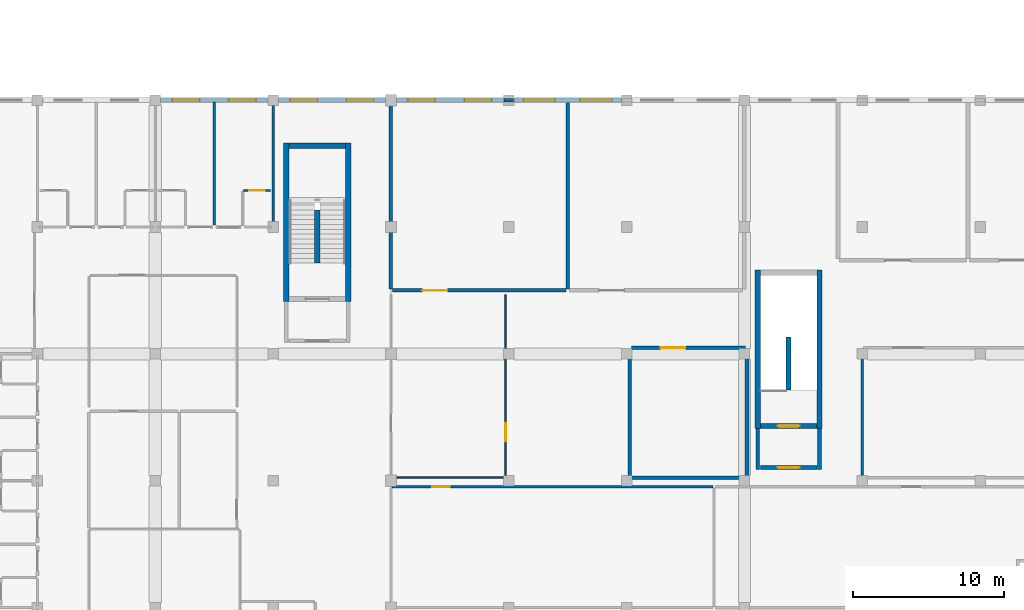
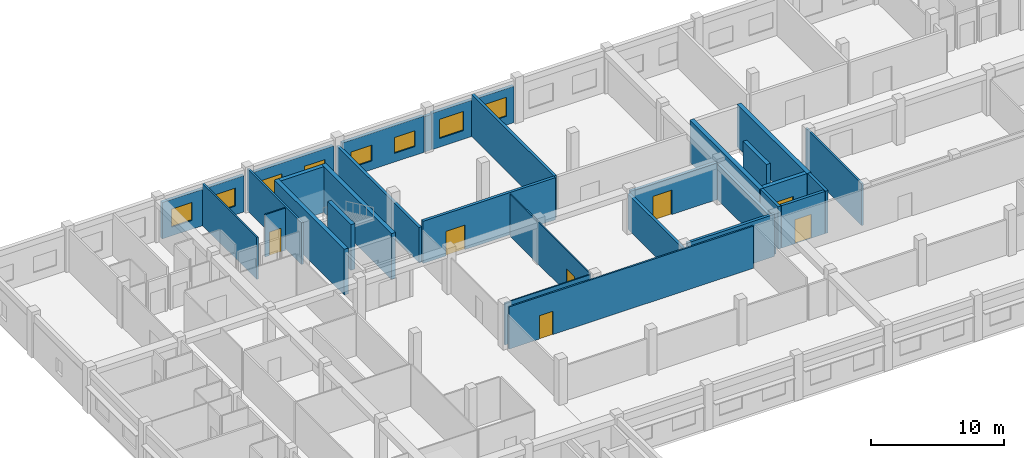
# One storey, part 39 of 53: 30 walls, 8 windows, 7 doors, 15 openings.
"""IFC4 building model written with IfcOpenShell, lengths in metres."""

from ifc_helpers import new_model, si_unit, direction, frame, frame_2d, origin, place, context, subcontext, project, spatial, rectangle, extrude, material, layer, layer_set, type_object, element, fill, save


model = new_model("IFC4")

# Units and contexts
model_context = context("Model", 3, precision=1e-05, world=origin(), true_north=direction((0.0, 1.0)))
body_context = subcontext(model_context, "Body", "Model", "MODEL_VIEW")
ifc_project = project(units=[si_unit("LENGTHUNIT", "METRE"), si_unit("AREAUNIT", "SQUARE_METRE"), si_unit("VOLUMEUNIT", "CUBIC_METRE"), si_unit("PLANEANGLEUNIT", "RADIAN"), si_unit("MASSUNIT", "GRAM", prefix="KILO"), si_unit("THERMODYNAMICTEMPERATUREUNIT", "KELVIN"), si_unit("POWERUNIT", "WATT")], contexts=[model_context])

# Site, building, storey
site_placement = place(None, origin())
site = spatial("IfcSite", under=ifc_project, at=site_placement, CompositionType="ELEMENT")
building_placement = place(site_placement, origin())
building = spatial("IfcBuilding", under=site, at=building_placement, Name="Srebrne Nadtorze General Hospital", CompositionType="ELEMENT")
storey_placement = place(building_placement, frame((0.0, 0.0, 18.0)))
storey = spatial("IfcBuildingStorey", under=building, at=storey_placement, Name="L04", CompositionType="ELEMENT", Elevation=18.0)

# Wall
ifc_material_1 = material(Name="Gypsum Healthcare Partition")
ifc_layer_1 = layer(ifc_material_1, 0.139892578125)
ifc_layer_set_1 = layer_set([ifc_layer_1], Name="Gypsum Healthcare Partition")
wall_type_1 = type_object("IfcWallType", Name="Clinical partition 140", PredefinedType="PARTITIONING", material=ifc_layer_set_1)
wall_1_placement = place(storey_placement, frame((42.89990234375, 84.1201171875, 0.0), z_axis=(0.0, 0.0, 1.0), x_axis=(0.0, 1.0, 0.0)))
element("IfcWall", 1, at=wall_1_placement, inside=storey, type_object=wall_type_1, Name="Ward inter-room partition WL-INT-L04-1684", PredefinedType="PARTITIONING", context=body_context, shape_type="SweptSolid", body=[
    extrude(rectangle(XDim=8.159912109375, YDim=0.139892578125, at=frame_2d((4.080078125, 0.0))), origin(), (0.0, 0.0, 1.0), 3.864990234375),
])

# Wall, opening, door
wall_2_placement = place(storey_placement, frame((54.68505859375, 66.800048828125, 0.0), z_axis=(0.0, 0.0, 1.0), x_axis=(1.0, 0.0, 0.0)))
wall_2 = element("IfcWall", 2, at=wall_2_placement, inside=storey, type_object=wall_type_1, Name="Surgical Recovery Ward wall WL-INT-L04-1893", PredefinedType="PARTITIONING", context=body_context, shape_type="SweptSolid", body=[
    extrude(rectangle(XDim=21.22998046875, YDim=0.139892578125, at=frame_2d((10.614990234375, 0.0))), origin(), (0.0, 0.0, 1.0), 3.864990234375),
])
opening_1_placement = place(wall_2_placement, frame((2.66064453125, 0.0, 0.0)))
opening_1 = element("IfcOpeningElement", 3, at=opening_1_placement, cuts=wall_2, Name="Opening D-L04-0365", PredefinedType="OPENING", context=body_context, shape_type="SweptSolid", body=[
    extrude(rectangle(XDim=1.14990234375, YDim=2.14990234375, at=frame_2d((0.574951171875, 1.074951171875))), frame((0.0, 0.08203125, 0.0), z_axis=(0.0, -1.0, 0.0), x_axis=(1.0, 0.0, 0.0)), (0.0, 0.0, 1.0), 0.163818359375),
])
ifc_material_2 = material(Name="Anodised Aluminium", Category="aluminium")
door_type_1 = type_object("IfcDoorType", Name="Single leaf door 1150x2150", OperationType="NOTDEFINED", PredefinedType="DOOR", material=ifc_material_2)
door_1_placement = place(opening_1_placement, frame((1.14990234375, 0.0, 0.0), z_axis=(0.0, 0.0, 1.0), x_axis=(-1.0, 0.0, 0.0)))
door_1 = element("IfcDoor", 4, at=door_1_placement, inside=storey, type_object=door_type_1, Name="Surgical Recovery Ward door D-L04-0365", OperationType="SINGLE_SWING_RIGHT", OverallHeight=2.14990234375, OverallWidth=1.14990234375, PredefinedType="DOOR", context=body_context, shape_type="SweptSolid", body=[
    extrude(rectangle(XDim=1.14990234375, YDim=2.14990234375, at=frame_2d((0.574951171875, 1.074951171875))), frame((0.0, 0.02490234375, 0.0), z_axis=(0.0, -1.0, 0.0), x_axis=(1.0, 0.0, 0.0)), (0.0, 0.0, 1.0), 0.050048828125),
])
fill(opening_1, door_1)

# Walls
ifc_material_3 = material(Name="Gypsum Healthcare Partition")
ifc_layer_2 = layer(ifc_material_3, 0.159912109375)
ifc_layer_set_2 = layer_set([ifc_layer_2], Name="Gypsum Healthcare Partition")
wall_type_2 = type_object("IfcWallType", Name="Clinical partition 160", PredefinedType="PARTITIONING", material=ifc_layer_set_2)
wall_3_placement = place(storey_placement, frame((46.800048828125, 84.1201171875, 0.0), z_axis=(0.0, 0.0, 1.0), x_axis=(0.0, 1.0, 0.0)))
element("IfcWall", 5, at=wall_3_placement, inside=storey, type_object=wall_type_2, Name="Ward inter-room partition WL-INT-L04-1689", PredefinedType="PARTITIONING", context=body_context, shape_type="SweptSolid", body=[
    extrude(rectangle(XDim=8.159912109375, YDim=0.159912109375, at=frame_2d((4.080078125, 0.0))), origin(), (0.0, 0.0, 1.0), 3.864990234375),
])
wall_4_placement = place(storey_placement, frame((85.800048828125, 67.485107421875, 0.0), z_axis=(0.0, 0.0, 1.0), x_axis=(0.0, 1.0, 0.0)))
element("IfcWall", 6, at=wall_4_placement, inside=storey, type_object=wall_type_2, Name="Surgical Scrub and Perfusion Suite wall WL-INT-L04-1891", PredefinedType="PARTITIONING", context=body_context, shape_type="SweptSolid", body=[
    extrude(rectangle(XDim=8.429931640625, YDim=0.159912109375, at=frame_2d((4.21484375, 0.0))), origin(), (0.0, 0.0, 1.0), 3.864990234375),
])
ifc_material_4 = material(Name="Gypsum Healthcare Partition")
ifc_layer_3 = layer(ifc_material_4, 0.239990234375)
ifc_layer_set_3 = layer_set([ifc_layer_3], Name="Gypsum Healthcare Partition")
wall_type_3 = type_object("IfcWallType", Name="Corridor fire wall 240", PredefinedType="STANDARD", material=ifc_layer_set_3)
for number, where, z_axis, x_axis, name in (
    (7, (78.875, 67.955078125, 0.0), (0.0, 0.0, 1.0), (0.0, 1.0, 0.0), "Fire lobby wall ST-07 WL-INT-L04-0325"),
    (8, (82.97509765625, 67.955078125, 0.0), (0.0, 0.0, 1.0), (0.0, 1.0, 0.0), "Fire lobby wall ST-07 WL-INT-L04-0326"),
):
    element("IfcWall", number, at=place(storey_placement, frame(where, z_axis=z_axis, x_axis=x_axis)), inside=storey, type_object=wall_type_3, Name=name, PredefinedType="STANDARD", context=body_context, shape_type="SweptSolid", body=[
        extrude(rectangle(XDim=2.69482421875, YDim=0.239990234375, at=frame_2d((1.347412109375, 0.0))), origin(), (0.0, 0.0, 1.0), 3.885009765625),
    ])

# Wall, opening, door
wall_5_placement = place(storey_placement, frame((79.050048828125, 68.074951171875, 0.0), z_axis=(0.0, 0.0, 1.0), x_axis=(1.0, 0.0, 0.0)))
wall_5 = element("IfcWall", 9, at=wall_5_placement, inside=storey, type_object=wall_type_3, Name="Fire lobby entry wall ST-07 WL-INT-L04-0327", PredefinedType="STANDARD", context=body_context, shape_type="SweptSolid", body=[
    extrude(rectangle(XDim=3.75, YDim=0.239990234375, at=frame_2d((1.875, 0.0))), origin(), (0.0, 0.0, 1.0), 3.885009765625),
])
opening_2_placement = place(wall_5_placement, frame((1.14990234375, 0.0, 0.0)))
opening_2 = element("IfcOpeningElement", 10, at=opening_2_placement, cuts=wall_5, Name="Opening D-L04-0082", PredefinedType="OPENING", context=body_context, shape_type="SweptSolid", body=[
    extrude(rectangle(XDim=1.449951171875, YDim=2.199951171875, at=frame_2d((0.72509765625, 1.10009765625))), frame((0.0, 0.1318359375, 0.0), z_axis=(0.0, -1.0, 0.0), x_axis=(1.0, 0.0, 0.0)), (0.0, 0.0, 1.0), 0.263916015625),
])
ifc_material_5 = material(Name="Anodised Aluminium", Category="aluminium")
door_type_2 = type_object("IfcDoorType", Name="Double leaf door 1450x2200", OperationType="DOUBLE_DOOR_SINGLE_SWING", PredefinedType="DOOR", material=ifc_material_5)
door_2_placement = place(opening_2_placement, origin())
door_2 = element("IfcDoor", 11, at=door_2_placement, inside=storey, type_object=door_type_2, Name="Fire lobby door ST-07 D-L04-0082", OperationType="DOUBLE_DOOR_SINGLE_SWING", OverallHeight=2.199951171875, OverallWidth=1.449951171875, PredefinedType="DOOR", context=body_context, shape_type="SweptSolid", body=[
    extrude(rectangle(XDim=1.449951171875, YDim=2.199951171875, at=frame_2d((0.72509765625, 1.10009765625))), frame((0.0, 0.02490234375, 0.0), z_axis=(0.0, -1.0, 0.0), x_axis=(1.0, 0.0, 0.0)), (0.0, 0.0, 1.0), 0.050048828125),
])
fill(opening_2, door_2)

wall_6_placement = place(storey_placement, frame((54.7099609375, 79.800048828125, 0.0), z_axis=(0.0, 0.0, 1.0), x_axis=(1.0, 0.0, 0.0)))
wall_6 = element("IfcWall", 12, at=wall_6_placement, inside=storey, type_object=wall_type_3, Name="Operating Theatre wall WL-INT-L04-1871", PredefinedType="STANDARD", context=body_context, shape_type="SweptSolid", body=[
    extrude(rectangle(XDim=11.47998046875, YDim=0.239990234375, at=frame_2d((5.739990234375, 0.0))), origin(), (0.0, 0.0, 1.0), 3.864990234375),
])
opening_3_placement = place(wall_6_placement, frame((1.977783203125, 0.0, 0.0)))
opening_3 = element("IfcOpeningElement", 13, at=opening_3_placement, cuts=wall_6, Name="Opening D-L04-0359", PredefinedType="OPENING", context=body_context, shape_type="SweptSolid", body=[
    extrude(rectangle(XDim=1.64990234375, YDim=2.25, at=frame_2d((0.824951171875, 1.125))), frame((0.0, 0.1318359375, 0.0), z_axis=(0.0, -1.0, 0.0), x_axis=(1.0, 0.0, 0.0)), (0.0, 0.0, 1.0), 0.263916015625),
])
ifc_material_6 = material(Name="Anodised Aluminium", Category="aluminium")
door_type_3 = type_object("IfcDoorType", Name="Double leaf door 1650x2250", OperationType="DOUBLE_DOOR_SINGLE_SWING", PredefinedType="DOOR", material=ifc_material_6)
door_3_placement = place(opening_3_placement, origin())
door_3 = element("IfcDoor", 14, at=door_3_placement, inside=storey, type_object=door_type_3, Name="Operating Theatre door D-L04-0359", OperationType="DOUBLE_DOOR_SINGLE_SWING", OverallHeight=2.25, OverallWidth=1.64990234375, PredefinedType="DOOR", context=body_context, shape_type="SweptSolid", body=[
    extrude(rectangle(XDim=1.64990234375, YDim=2.25, at=frame_2d((0.824951171875, 1.125))), frame((0.0, 0.02490234375, 0.0), z_axis=(0.0, -1.0, 0.0), x_axis=(1.0, 0.0, 0.0)), (0.0, 0.0, 1.0), 0.050048828125),
])
fill(opening_3, door_3)

# Walls
wall_7_placement = place(storey_placement, frame((62.090087890625, 92.39990234375, 0.0), z_axis=(0.0, 0.0, 1.0), x_axis=(1.0, 0.0, 0.0)))
element("IfcWall", 15, at=wall_7_placement, inside=storey, type_object=wall_type_3, Name="Operating Theatre wall WL-INT-L04-1872", PredefinedType="STANDARD", context=body_context, shape_type="SweptSolid", body=[
    extrude(rectangle(XDim=0.619873046875, YDim=0.239990234375, at=frame_2d((0.31005859375, 0.0))), origin(), (0.0, 0.0, 1.0), 3.235107421875),
])
wall_8_placement = place(storey_placement, frame((54.60009765625, 79.909912109375, 0.0), z_axis=(0.0, 0.0, 1.0), x_axis=(0.0, 1.0, 0.0)))
element("IfcWall", 16, at=wall_8_placement, inside=storey, type_object=wall_type_3, Name="Operating Theatre wall WL-INT-L04-1873", PredefinedType="STANDARD", context=body_context, shape_type="SweptSolid", body=[
    extrude(rectangle(XDim=12.380126953125, YDim=0.239990234375, at=frame_2d((6.18994140625, 0.0))), origin(), (0.0, 0.0, 1.0), 3.235107421875),
])
wall_9_placement = place(storey_placement, frame((66.300048828125, 79.909912109375, 0.0), z_axis=(0.0, 0.0, 1.0), x_axis=(0.0, 1.0, 0.0)))
element("IfcWall", 17, at=wall_9_placement, inside=storey, type_object=wall_type_3, Name="Operating Theatre wall WL-INT-L04-1874", PredefinedType="STANDARD", context=body_context, shape_type="SweptSolid", body=[
    extrude(rectangle(XDim=12.380126953125, YDim=0.239990234375, at=frame_2d((6.18994140625, 0.0))), origin(), (0.0, 0.0, 1.0), 3.864990234375),
])

# Wall, opening, door
wall_10_placement = place(storey_placement, frame((70.510009765625, 76.0, 0.0), z_axis=(0.0, 0.0, 1.0), x_axis=(1.0, 0.0, 0.0)))
wall_10 = element("IfcWall", 18, at=wall_10_placement, inside=storey, type_object=wall_type_3, Name="Hybrid Trauma Operating Theatre wall WL-INT-L04-1885", PredefinedType="STANDARD", context=body_context, shape_type="SweptSolid", body=[
    extrude(rectangle(XDim=7.554931640625, YDim=0.239990234375, at=frame_2d((3.77734375, 0.0))), origin(), (0.0, 0.0, 1.0), 3.385009765625),
])
opening_4_placement = place(wall_10_placement, frame((1.939208984375, 0.0, 0.0)))
opening_4 = element("IfcOpeningElement", 19, at=opening_4_placement, cuts=wall_10, Name="Opening D-L04-0363", PredefinedType="OPENING", context=body_context, shape_type="SweptSolid", body=[
    extrude(rectangle(XDim=1.64990234375, YDim=2.25, at=frame_2d((0.824951171875, 1.125))), frame((0.0, 0.1318359375, 0.0), z_axis=(0.0, -1.0, 0.0), x_axis=(1.0, 0.0, 0.0)), (0.0, 0.0, 1.0), 0.263916015625),
])
door_4_placement = place(opening_4_placement, frame((1.64990234375, 0.0, 0.0), z_axis=(0.0, 0.0, 1.0), x_axis=(-1.0, 0.0, 0.0)))
door_4 = element("IfcDoor", 20, at=door_4_placement, inside=storey, type_object=door_type_3, Name="Hybrid Trauma Operating Theatre door D-L04-0363", OperationType="DOUBLE_DOOR_SINGLE_SWING", OverallHeight=2.25, OverallWidth=1.64990234375, PredefinedType="DOOR", context=body_context, shape_type="SweptSolid", body=[
    extrude(rectangle(XDim=1.64990234375, YDim=2.25, at=frame_2d((0.824951171875, 1.125))), frame((0.0, 0.02490234375, 0.0), z_axis=(0.0, -1.0, 0.0), x_axis=(1.0, 0.0, 0.0)), (0.0, 0.0, 1.0), 0.050048828125),
])
fill(opening_4, door_4)

# Walls
wall_11_placement = place(storey_placement, frame((70.510009765625, 67.39990234375, 0.0), z_axis=(0.0, 0.0, 1.0), x_axis=(1.0, 0.0, 0.0)))
element("IfcWall", 21, at=wall_11_placement, inside=storey, type_object=wall_type_3, Name="Hybrid Trauma Operating Theatre wall WL-INT-L04-1886", PredefinedType="STANDARD", context=body_context, shape_type="SweptSolid", body=[
    extrude(rectangle(XDim=7.554931640625, YDim=0.239990234375, at=frame_2d((3.77734375, 0.0))), origin(), (0.0, 0.0, 1.0), 3.864990234375),
])
for number, where, z_axis, x_axis, name in (
    (22, (70.39990234375, 67.510009765625, 0.0), (0.0, 0.0, 1.0), (0.0, 1.0, 0.0), "Hybrid Trauma Operating Theatre wall WL-INT-L04-1887"),
    (23, (78.175048828125, 67.510009765625, 0.0), (0.0, 0.0, 1.0), (0.0, 1.0, 0.0), "Hybrid Trauma Operating Theatre wall WL-INT-L04-1888"),
):
    element("IfcWall", number, at=place(storey_placement, frame(where, z_axis=z_axis, x_axis=x_axis)), inside=storey, type_object=wall_type_3, Name=name, PredefinedType="STANDARD", context=body_context, shape_type="SweptSolid", body=[
        extrude(rectangle(XDim=8.3798828125, YDim=0.239990234375, at=frame_2d((4.18994140625, 0.0))), origin(), (0.0, 0.0, 1.0), 3.235107421875),
    ])

# Wall, opening, door
ifc_material_7 = material(Name="Gypsum Healthcare Partition")
ifc_layer_4 = layer(ifc_material_7, 0.1201171875)
ifc_layer_set_4 = layer_set([ifc_layer_4], Name="Gypsum Healthcare Partition")
wall_type_4 = type_object("IfcWallType", Name="En-suite partition 120", PredefinedType="PARTITIONING", material=ifc_layer_set_4)
wall_12_placement = place(storey_placement, frame((44.860107421875, 86.419921875, 0.0), z_axis=(0.0, 0.0, 1.0), x_axis=(1.0, 0.0, 0.0)))
wall_12 = element("IfcWall", 24, at=wall_12_placement, inside=storey, type_object=wall_type_4, Name="En-suite wet wall WL-INT-L04-1693", PredefinedType="PARTITIONING", context=body_context, shape_type="SweptSolid", body=[
    extrude(rectangle(XDim=1.760009765625, YDim=0.1201171875, at=frame_2d((0.8798828125, 0.0))), origin(), (0.0, 0.0, 1.0), 3.864990234375),
])
opening_5_placement = place(wall_12_placement, frame((0.3701171875, 0.0, 0.0)))
opening_5 = element("IfcOpeningElement", 25, at=opening_5_placement, cuts=wall_12, Name="Opening D-L04-0293", PredefinedType="OPENING", context=body_context, shape_type="SweptSolid", body=[
    extrude(rectangle(XDim=1.02001953125, YDim=2.14990234375, at=frame_2d((0.510009765625, 1.074951171875))), frame((0.0, 0.072021484375, 0.0), z_axis=(0.0, -1.0, 0.0), x_axis=(1.0, 0.0, 0.0)), (0.0, 0.0, 1.0), 0.14404296875),
])
ifc_material_8 = material(Name="Anodised Aluminium", Category="aluminium")
door_type_4 = type_object("IfcDoorType", Name="Single leaf door 1020x2150", OperationType="NOTDEFINED", PredefinedType="DOOR", material=ifc_material_8)
door_5_placement = place(opening_5_placement, frame((1.02001953125, 0.0, 0.0), z_axis=(0.0, 0.0, 1.0), x_axis=(-1.0, 0.0, 0.0)))
door_5 = element("IfcDoor", 26, at=door_5_placement, inside=storey, type_object=door_type_4, Name="En-suite bathroom door D-L04-0293", OperationType="SINGLE_SWING_RIGHT", OverallHeight=2.14990234375, OverallWidth=1.02001953125, PredefinedType="DOOR", context=body_context, shape_type="SweptSolid", body=[
    extrude(rectangle(XDim=1.02001953125, YDim=2.14990234375, at=frame_2d((0.510009765625, 1.074951171875))), frame((0.0, 0.02490234375, 0.0), z_axis=(0.0, -1.0, 0.0), x_axis=(1.0, 0.0, 0.0)), (0.0, 0.0, 1.0), 0.050048828125),
])
fill(opening_5, door_5)

ifc_material_9 = material(Name="Gypsum Healthcare Partition")
ifc_layer_5 = layer(ifc_material_9, 0.10009765625)
ifc_layer_set_5 = layer_set([ifc_layer_5], Name="Gypsum Healthcare Partition")
wall_type_5 = type_object("IfcWallType", Name="Shaft lining wall 100", PredefinedType="PARTITIONING", material=ifc_layer_set_5)
wall_13_placement = place(storey_placement, frame((62.199951171875, 67.485107421875, 0.0), z_axis=(0.0, 0.0, 1.0), x_axis=(0.0, 1.0, 0.0)))
wall_13 = element("IfcWall", 27, at=wall_13_placement, inside=storey, type_object=wall_type_5, Name="Anaesthesia Induction and Prep Suite wall WL-INT-L04-1897", PredefinedType="PARTITIONING", context=body_context, shape_type="SweptSolid", body=[
    extrude(rectangle(XDim=12.02978515625, YDim=0.10009765625, at=frame_2d((6.014892578125, 0.0))), origin(), (0.0, 0.0, 1.0), 3.864990234375),
])
opening_6_placement = place(wall_13_placement, frame((2.325927734375, 0.0, 0.0)))
opening_6 = element("IfcOpeningElement", 28, at=opening_6_placement, cuts=wall_13, Name="Opening D-L04-0366", PredefinedType="OPENING", context=body_context, shape_type="SweptSolid", body=[
    extrude(rectangle(XDim=1.199951171875, YDim=2.14990234375, at=frame_2d((0.60009765625, 1.074951171875))), frame((0.0, 0.06201171875, 0.0), z_axis=(0.0, -1.0, 0.0), x_axis=(1.0, 0.0, 0.0)), (0.0, 0.0, 1.0), 0.1240234375),
])
ifc_material_10 = material(Name="Anodised Aluminium", Category="aluminium")
door_type_5 = type_object("IfcDoorType", Name="Single leaf door 1200x2150", OperationType="NOTDEFINED", PredefinedType="DOOR", material=ifc_material_10)
door_6_placement = place(opening_6_placement, origin())
door_6 = element("IfcDoor", 29, at=door_6_placement, inside=storey, type_object=door_type_5, Name="Anaesthesia Induction and Prep Suite door D-L04-0366", OperationType="SINGLE_SWING_LEFT", OverallHeight=2.14990234375, OverallWidth=1.199951171875, PredefinedType="DOOR", context=body_context, shape_type="SweptSolid", body=[
    extrude(rectangle(XDim=1.199951171875, YDim=2.14990234375, at=frame_2d((0.60009765625, 1.074951171875))), frame((0.0, 0.02490234375, 0.0), z_axis=(0.0, -1.0, 0.0), x_axis=(1.0, 0.0, 0.0)), (0.0, 0.0, 1.0), 0.050048828125),
])
fill(opening_6, door_6)

# Walls
wall_14_placement = place(storey_placement, frame((54.68505859375, 67.39990234375, 0.0), z_axis=(0.0, 0.0, 1.0), x_axis=(1.0, 0.0, 0.0)))
element("IfcWall", 30, at=wall_14_placement, inside=storey, type_object=wall_type_5, Name="Anaesthesia Induction and Prep Suite wall WL-INT-L04-1898", PredefinedType="PARTITIONING", context=body_context, shape_type="SweptSolid", body=[
    extrude(rectangle(XDim=7.429931640625, YDim=0.10009765625, at=frame_2d((3.71484375, 0.0))), origin(), (0.0, 0.0, 1.0), 3.864990234375),
])
ifc_material_11 = material(Name="Concrete C40/50", Category="concrete")
ifc_layer_6 = layer(ifc_material_11, 0.35009765625)
ifc_layer_set_6 = layer_set([ifc_layer_6], Name="Concrete C40/50")
wall_type_6 = type_object("IfcWallType", Name="Shear core wall 350", PredefinedType="SHEAR", material=ifc_layer_set_6)
for number, where, z_axis, x_axis, name in (
    (31, (47.675048828125, 79.050048828125, 0.0), (0.0, 0.0, 1.0), (0.0, 1.0, 0.0), "Stair core wall ST-02 WL-INT-L04-0297"),
    (32, (51.77490234375, 79.050048828125, 0.0), (0.0, 0.0, 1.0), (0.0, 1.0, 0.0), "Stair core wall ST-02 WL-INT-L04-0298"),
):
    element("IfcWall", number, at=place(storey_placement, frame(where, z_axis=z_axis, x_axis=x_axis)), inside=storey, type_object=wall_type_6, Name=name, PredefinedType="SHEAR", context=body_context, shape_type="SweptSolid", body=[
        extrude(rectangle(XDim=10.5, YDim=0.35009765625, at=frame_2d((5.25, 0.0))), origin(), (0.0, 0.0, 1.0), 4.199951171875),
    ])
wall_15_placement = place(storey_placement, frame((47.85009765625, 89.375, 0.0), z_axis=(0.0, 0.0, 1.0), x_axis=(1.0, 0.0, 0.0)))
element("IfcWall", 33, at=wall_15_placement, inside=storey, type_object=wall_type_6, Name="Stair core wall ST-02 WL-INT-L04-0299", PredefinedType="SHEAR", context=body_context, shape_type="SweptSolid", body=[
    extrude(rectangle(XDim=3.75, YDim=0.35009765625, at=frame_2d((1.875, 0.0))), origin(), (0.0, 0.0, 1.0), 4.199951171875),
])
wall_16_placement = place(storey_placement, frame((49.72509765625, 81.60009765625, 0.0), z_axis=(0.0, 0.0, 1.0), x_axis=(0.0, 1.0, 0.0)))
element("IfcWall", 34, at=wall_16_placement, inside=storey, type_object=wall_type_6, Name="Stair spine wall ST-02 WL-INT-L04-0304", PredefinedType="SHEAR", context=body_context, shape_type="SweptSolid", body=[
    extrude(rectangle(XDim=3.52001953125, YDim=0.35009765625, at=frame_2d((1.760009765625, 0.0))), origin(), (0.0, 0.0, 1.0), 4.199951171875),
])
for number, where, z_axis, x_axis, name in (
    (35, (78.875, 70.64990234375, 0.0), (0.0, 0.0, 1.0), (0.0, 1.0, 0.0), "Stair core wall ST-07 WL-INT-L04-0321"),
    (36, (82.97509765625, 70.64990234375, 0.0), (0.0, 0.0, 1.0), (0.0, 1.0, 0.0), "Stair core wall ST-07 WL-INT-L04-0322"),
):
    element("IfcWall", number, at=place(storey_placement, frame(where, z_axis=z_axis, x_axis=x_axis)), inside=storey, type_object=wall_type_6, Name=name, PredefinedType="SHEAR", context=body_context, shape_type="SweptSolid", body=[
        extrude(rectangle(XDim=10.5, YDim=0.35009765625, at=frame_2d((5.25, 0.0))), origin(), (0.0, 0.0, 1.0), 3.885009765625),
    ])

# Wall, opening, door
wall_17_placement = place(storey_placement, frame((79.050048828125, 70.824951171875, 0.0), z_axis=(0.0, 0.0, 1.0), x_axis=(1.0, 0.0, 0.0)))
wall_17 = element("IfcWall", 37, at=wall_17_placement, inside=storey, type_object=wall_type_6, Name="Stairwell fire wall ST-07 WL-INT-L04-0324", PredefinedType="SHEAR", context=body_context, shape_type="SweptSolid", body=[
    extrude(rectangle(XDim=3.75, YDim=0.35009765625, at=frame_2d((1.875, 0.0))), origin(), (0.0, 0.0, 1.0), 3.885009765625),
])
opening_7_placement = place(wall_17_placement, frame((1.14990234375, 0.0, 0.0)))
opening_7 = element("IfcOpeningElement", 38, at=opening_7_placement, cuts=wall_17, Name="Opening D-L04-0081", PredefinedType="OPENING", context=body_context, shape_type="SweptSolid", body=[
    extrude(rectangle(XDim=1.449951171875, YDim=2.199951171875, at=frame_2d((0.72509765625, 1.10009765625))), frame((0.0, 0.18701171875, 0.0), z_axis=(0.0, -1.0, 0.0), x_axis=(1.0, 0.0, 0.0)), (0.0, 0.0, 1.0), 0.3740234375),
])
door_7_placement = place(opening_7_placement, origin())
door_7 = element("IfcDoor", 39, at=door_7_placement, inside=storey, type_object=door_type_2, Name="Protected stair door ST-07 D-L04-0081", OperationType="DOUBLE_DOOR_SINGLE_SWING", OverallHeight=2.199951171875, OverallWidth=1.449951171875, PredefinedType="DOOR", context=body_context, shape_type="SweptSolid", body=[
    extrude(rectangle(XDim=1.449951171875, YDim=2.199951171875, at=frame_2d((0.72509765625, 1.10009765625))), frame((0.0, 0.02490234375, 0.0), z_axis=(0.0, -1.0, 0.0), x_axis=(1.0, 0.0, 0.0)), (0.0, 0.0, 1.0), 0.050048828125),
])
fill(opening_7, door_7)

# Wall
wall_18_placement = place(storey_placement, frame((80.925048828125, 73.199951171875, 0.0), z_axis=(0.0, 0.0, 1.0), x_axis=(0.0, 1.0, 0.0)))
element("IfcWall", 40, at=wall_18_placement, inside=storey, type_object=wall_type_6, Name="Stair spine wall ST-07 WL-INT-L04-0328", PredefinedType="SHEAR", context=body_context, shape_type="SweptSolid", body=[
    extrude(rectangle(XDim=3.52001953125, YDim=0.35009765625, at=frame_2d((1.760009765625, 0.0))), origin(), (0.0, 0.0, 1.0), 3.885009765625),
])

# Wall, openings, windows
ifc_material_12 = material(Name="Concrete C35/45 precast", Category="concrete")
ifc_layer_7 = layer(ifc_material_12, 0.280029296875)
ifc_layer_set_7 = layer_set([ifc_layer_7], Name="Concrete C35/45 precast")
wall_type_7 = type_object("IfcWallType", Name="Spandrel wall 280", PredefinedType="STANDARD", material=ifc_layer_set_7)
wall_19_placement = place(storey_placement, frame((39.35009765625, 92.39990234375, 0.0), z_axis=(0.0, 0.0, 1.0), x_axis=(1.0, 0.0, 0.0)))
wall_19 = element("IfcWall", 41, at=wall_19_placement, inside=storey, type_object=wall_type_7, Name="Exterior wall WL-ENV-L04-0362", PredefinedType="STANDARD", context=body_context, shape_type="SweptSolid", body=[
    extrude(rectangle(XDim=7.099853515625, YDim=0.280029296875, at=frame_2d((3.5498046875, 0.0))), origin(), (0.0, 0.0, 1.0), 3.3349609375),
])
opening_8_placement = place(wall_19_placement, frame((0.778076171875, 0.0, 0.800048828125)))
opening_8 = element("IfcOpeningElement", 42, at=opening_8_placement, cuts=wall_19, Name="Opening WN-L04-0547", PredefinedType="OPENING", context=body_context, shape_type="SweptSolid", body=[
    extrude(rectangle(XDim=1.800048828125, YDim=1.64990234375, at=frame_2d((0.89990234375, 0.824951171875))), frame((0.0, 0.15185546875, 0.0), z_axis=(0.0, -1.0, 0.0), x_axis=(1.0, 0.0, 0.0)), (0.0, 0.0, 1.0), 0.303955078125),
])
opening_9_placement = place(wall_19_placement, frame((4.52197265625, 0.0, 0.800048828125)))
opening_9 = element("IfcOpeningElement", 43, at=opening_9_placement, cuts=wall_19, Name="Opening WN-L04-0548", PredefinedType="OPENING", context=body_context, shape_type="SweptSolid", body=[
    extrude(rectangle(XDim=1.800048828125, YDim=1.64990234375, at=frame_2d((0.89990234375, 0.824951171875))), frame((0.0, 0.15185546875, 0.0), z_axis=(0.0, -1.0, 0.0), x_axis=(1.0, 0.0, 0.0)), (0.0, 0.0, 1.0), 0.303955078125),
])
ifc_material_13 = material(Name="Triple Low-E Glazing", Category="glass")
window_type_1 = type_object("IfcWindowType", Name="Punched clinical window 1800x1650", PartitioningType="DOUBLE_PANEL_VERTICAL", PredefinedType="WINDOW", material=ifc_material_13)
window_1_placement = place(opening_8_placement, origin())
window_1 = element("IfcWindow", 44, at=window_1_placement, inside=storey, type_object=window_type_1, Name="Clinical window WN-L04-0547", OverallHeight=1.64990234375, OverallWidth=1.800048828125, PartitioningType="DOUBLE_PANEL_VERTICAL", PredefinedType="WINDOW", context=body_context, shape_type="SweptSolid", body=[
    extrude(rectangle(XDim=1.800048828125, YDim=1.64990234375, at=frame_2d((0.89990234375, 0.824951171875))), frame((0.0, 0.030029296875, 0.0), z_axis=(0.0, -1.0, 0.0), x_axis=(1.0, 0.0, 0.0)), (0.0, 0.0, 1.0), 0.06005859375),
])
fill(opening_8, window_1)
window_2_placement = place(opening_9_placement, origin())
window_2 = element("IfcWindow", 45, at=window_2_placement, inside=storey, type_object=window_type_1, Name="Clinical window WN-L04-0548", OverallHeight=1.64990234375, OverallWidth=1.800048828125, PartitioningType="DOUBLE_PANEL_VERTICAL", PredefinedType="WINDOW", context=body_context, shape_type="SweptSolid", body=[
    extrude(rectangle(XDim=1.800048828125, YDim=1.64990234375, at=frame_2d((0.89990234375, 0.824951171875))), frame((0.0, 0.030029296875, 0.0), z_axis=(0.0, -1.0, 0.0), x_axis=(1.0, 0.0, 0.0)), (0.0, 0.0, 1.0), 0.06005859375),
])
fill(opening_9, window_2)

wall_20_placement = place(storey_placement, frame((47.14990234375, 92.39990234375, 0.0), z_axis=(0.0, 0.0, 1.0), x_axis=(1.0, 0.0, 0.0)))
wall_20 = element("IfcWall", 46, at=wall_20_placement, inside=storey, type_object=wall_type_7, Name="Exterior wall WL-ENV-L04-0363", PredefinedType="STANDARD", context=body_context, shape_type="SweptSolid", body=[
    extrude(rectangle(XDim=7.0751953125, YDim=0.280029296875, at=frame_2d((3.53759765625, 0.0))), origin(), (0.0, 0.0, 1.0), 3.3349609375),
])
opening_10_placement = place(wall_20_placement, frame((0.778076171875, 0.0, 0.800048828125)))
opening_10 = element("IfcOpeningElement", 47, at=opening_10_placement, cuts=wall_20, Name="Opening WN-L04-0549", PredefinedType="OPENING", context=body_context, shape_type="SweptSolid", body=[
    extrude(rectangle(XDim=1.800048828125, YDim=1.550048828125, at=frame_2d((0.89990234375, 0.77490234375))), frame((0.0, 0.15185546875, 0.0), z_axis=(0.0, -1.0, 0.0), x_axis=(1.0, 0.0, 0.0)), (0.0, 0.0, 1.0), 0.303955078125),
])
opening_11_placement = place(wall_20_placement, frame((4.52197265625, 0.0, 0.800048828125)))
opening_11 = element("IfcOpeningElement", 48, at=opening_11_placement, cuts=wall_20, Name="Opening WN-L04-0550", PredefinedType="OPENING", context=body_context, shape_type="SweptSolid", body=[
    extrude(rectangle(XDim=1.800048828125, YDim=1.550048828125, at=frame_2d((0.89990234375, 0.77490234375))), frame((0.0, 0.15185546875, 0.0), z_axis=(0.0, -1.0, 0.0), x_axis=(1.0, 0.0, 0.0)), (0.0, 0.0, 1.0), 0.303955078125),
])
ifc_material_14 = material(Name="Triple Low-E Glazing", Category="glass")
window_type_2 = type_object("IfcWindowType", Name="Punched clinical window 1800x1550", PartitioningType="DOUBLE_PANEL_VERTICAL", PredefinedType="WINDOW", material=ifc_material_14)
window_3_placement = place(opening_10_placement, origin())
window_3 = element("IfcWindow", 49, at=window_3_placement, inside=storey, type_object=window_type_2, Name="Clinical window WN-L04-0549", OverallHeight=1.550048828125, OverallWidth=1.800048828125, PartitioningType="DOUBLE_PANEL_VERTICAL", PredefinedType="WINDOW", context=body_context, shape_type="SweptSolid", body=[
    extrude(rectangle(XDim=1.800048828125, YDim=1.550048828125, at=frame_2d((0.89990234375, 0.77490234375))), frame((0.0, 0.030029296875, 0.0), z_axis=(0.0, -1.0, 0.0), x_axis=(1.0, 0.0, 0.0)), (0.0, 0.0, 1.0), 0.06005859375),
])
fill(opening_10, window_3)
window_4_placement = place(opening_11_placement, origin())
window_4 = element("IfcWindow", 50, at=window_4_placement, inside=storey, type_object=window_type_2, Name="Clinical window WN-L04-0550", OverallHeight=1.550048828125, OverallWidth=1.800048828125, PartitioningType="DOUBLE_PANEL_VERTICAL", PredefinedType="WINDOW", context=body_context, shape_type="SweptSolid", body=[
    extrude(rectangle(XDim=1.800048828125, YDim=1.550048828125, at=frame_2d((0.89990234375, 0.77490234375))), frame((0.0, 0.030029296875, 0.0), z_axis=(0.0, -1.0, 0.0), x_axis=(1.0, 0.0, 0.0)), (0.0, 0.0, 1.0), 0.06005859375),
])
fill(opening_11, window_4)

wall_21_placement = place(storey_placement, frame((54.97509765625, 92.39990234375, 0.0), z_axis=(0.0, 0.0, 1.0), x_axis=(1.0, 0.0, 0.0)))
wall_21 = element("IfcWall", 51, at=wall_21_placement, inside=storey, type_object=wall_type_7, Name="Exterior wall WL-ENV-L04-0364", PredefinedType="STANDARD", context=body_context, shape_type="SweptSolid", body=[
    extrude(rectangle(XDim=7.074951171875, YDim=0.280029296875, at=frame_2d((3.53759765625, 0.0))), origin(), (0.0, 0.0, 1.0), 3.3349609375),
])
opening_12_placement = place(wall_21_placement, frame((0.7529296875, 0.0, 0.800048828125)))
opening_12 = element("IfcOpeningElement", 52, at=opening_12_placement, cuts=wall_21, Name="Opening WN-L04-0551", PredefinedType="OPENING", context=body_context, shape_type="SweptSolid", body=[
    extrude(rectangle(XDim=1.800048828125, YDim=1.449951171875, at=frame_2d((0.89990234375, 0.72509765625))), frame((0.0, 0.15185546875, 0.0), z_axis=(0.0, -1.0, 0.0), x_axis=(1.0, 0.0, 0.0)), (0.0, 0.0, 1.0), 0.303955078125),
])
opening_13_placement = place(wall_21_placement, frame((4.4970703125, 0.0, 0.800048828125)))
opening_13 = element("IfcOpeningElement", 53, at=opening_13_placement, cuts=wall_21, Name="Opening WN-L04-0552", PredefinedType="OPENING", context=body_context, shape_type="SweptSolid", body=[
    extrude(rectangle(XDim=1.800048828125, YDim=1.449951171875, at=frame_2d((0.89990234375, 0.72509765625))), frame((0.0, 0.15185546875, 0.0), z_axis=(0.0, -1.0, 0.0), x_axis=(1.0, 0.0, 0.0)), (0.0, 0.0, 1.0), 0.303955078125),
])
ifc_material_15 = material(Name="Triple Low-E Glazing", Category="glass")
window_type_3 = type_object("IfcWindowType", Name="Punched clinical window 1800x1450", PartitioningType="DOUBLE_PANEL_VERTICAL", PredefinedType="WINDOW", material=ifc_material_15)
window_5_placement = place(opening_12_placement, origin())
window_5 = element("IfcWindow", 54, at=window_5_placement, inside=storey, type_object=window_type_3, Name="Clinical window WN-L04-0551", OverallHeight=1.449951171875, OverallWidth=1.800048828125, PartitioningType="DOUBLE_PANEL_VERTICAL", PredefinedType="WINDOW", context=body_context, shape_type="SweptSolid", body=[
    extrude(rectangle(XDim=1.800048828125, YDim=1.449951171875, at=frame_2d((0.89990234375, 0.72509765625))), frame((0.0, 0.030029296875, 0.0), z_axis=(0.0, -1.0, 0.0), x_axis=(1.0, 0.0, 0.0)), (0.0, 0.0, 1.0), 0.06005859375),
])
fill(opening_12, window_5)
window_6_placement = place(opening_13_placement, origin())
window_6 = element("IfcWindow", 55, at=window_6_placement, inside=storey, type_object=window_type_3, Name="Clinical window WN-L04-0552", OverallHeight=1.449951171875, OverallWidth=1.800048828125, PartitioningType="DOUBLE_PANEL_VERTICAL", PredefinedType="WINDOW", context=body_context, shape_type="SweptSolid", body=[
    extrude(rectangle(XDim=1.800048828125, YDim=1.449951171875, at=frame_2d((0.89990234375, 0.72509765625))), frame((0.0, 0.030029296875, 0.0), z_axis=(0.0, -1.0, 0.0), x_axis=(1.0, 0.0, 0.0)), (0.0, 0.0, 1.0), 0.06005859375),
])
fill(opening_13, window_6)

wall_22_placement = place(storey_placement, frame((62.75, 92.39990234375, 0.0), z_axis=(0.0, 0.0, 1.0), x_axis=(1.0, 0.0, 0.0)))
wall_22 = element("IfcWall", 56, at=wall_22_placement, inside=storey, type_object=wall_type_7, Name="Exterior wall WL-ENV-L04-0365", PredefinedType="STANDARD", context=body_context, shape_type="SweptSolid", body=[
    extrude(rectangle(XDim=7.10009765625, YDim=0.280029296875, at=frame_2d((3.550048828125, 0.0))), origin(), (0.0, 0.0, 1.0), 3.3349609375),
])
opening_14_placement = place(wall_22_placement, frame((0.6279296875, 0.0, 0.800048828125)))
opening_14 = element("IfcOpeningElement", 57, at=opening_14_placement, cuts=wall_22, Name="Opening WN-L04-0553", PredefinedType="OPENING", context=body_context, shape_type="SweptSolid", body=[
    extrude(rectangle(XDim=2.10009765625, YDim=1.75, at=frame_2d((1.050048828125, 0.875))), frame((0.0, 0.15185546875, 0.0), z_axis=(0.0, -1.0, 0.0), x_axis=(1.0, 0.0, 0.0)), (0.0, 0.0, 1.0), 0.303955078125),
])
opening_15_placement = place(wall_22_placement, frame((4.3720703125, 0.0, 0.800048828125)))
opening_15 = element("IfcOpeningElement", 58, at=opening_15_placement, cuts=wall_22, Name="Opening WN-L04-0554", PredefinedType="OPENING", context=body_context, shape_type="SweptSolid", body=[
    extrude(rectangle(XDim=2.10009765625, YDim=1.75, at=frame_2d((1.050048828125, 0.875))), frame((0.0, 0.15185546875, 0.0), z_axis=(0.0, -1.0, 0.0), x_axis=(1.0, 0.0, 0.0)), (0.0, 0.0, 1.0), 0.303955078125),
])
ifc_material_16 = material(Name="Triple Low-E Glazing", Category="glass")
window_type_4 = type_object("IfcWindowType", Name="Punched clinical window 2100x1750", PartitioningType="DOUBLE_PANEL_VERTICAL", PredefinedType="WINDOW", material=ifc_material_16)
window_7_placement = place(opening_14_placement, origin())
window_7 = element("IfcWindow", 59, at=window_7_placement, inside=storey, type_object=window_type_4, Name="Clinical window WN-L04-0553", OverallHeight=1.75, OverallWidth=2.10009765625, PartitioningType="DOUBLE_PANEL_VERTICAL", PredefinedType="WINDOW", context=body_context, shape_type="SweptSolid", body=[
    extrude(rectangle(XDim=2.10009765625, YDim=1.75, at=frame_2d((1.050048828125, 0.875))), frame((0.0, 0.030029296875, 0.0), z_axis=(0.0, -1.0, 0.0), x_axis=(1.0, 0.0, 0.0)), (0.0, 0.0, 1.0), 0.06005859375),
])
fill(opening_14, window_7)
window_8_placement = place(opening_15_placement, origin())
window_8 = element("IfcWindow", 60, at=window_8_placement, inside=storey, type_object=window_type_4, Name="Clinical window WN-L04-0554", OverallHeight=1.75, OverallWidth=2.10009765625, PartitioningType="DOUBLE_PANEL_VERTICAL", PredefinedType="WINDOW", context=body_context, shape_type="SweptSolid", body=[
    extrude(rectangle(XDim=2.10009765625, YDim=1.75, at=frame_2d((1.050048828125, 0.875))), frame((0.0, 0.030029296875, 0.0), z_axis=(0.0, -1.0, 0.0), x_axis=(1.0, 0.0, 0.0)), (0.0, 0.0, 1.0), 0.06005859375),
])
fill(opening_15, window_8)

save(model, "model.ifc")
